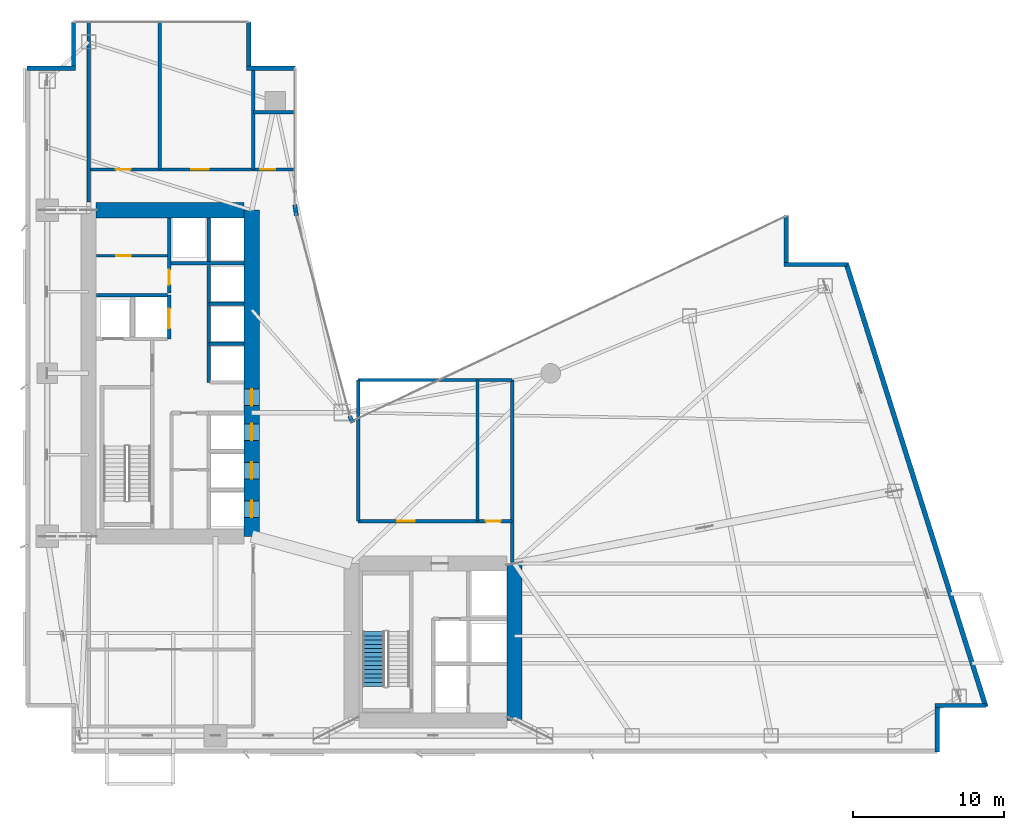
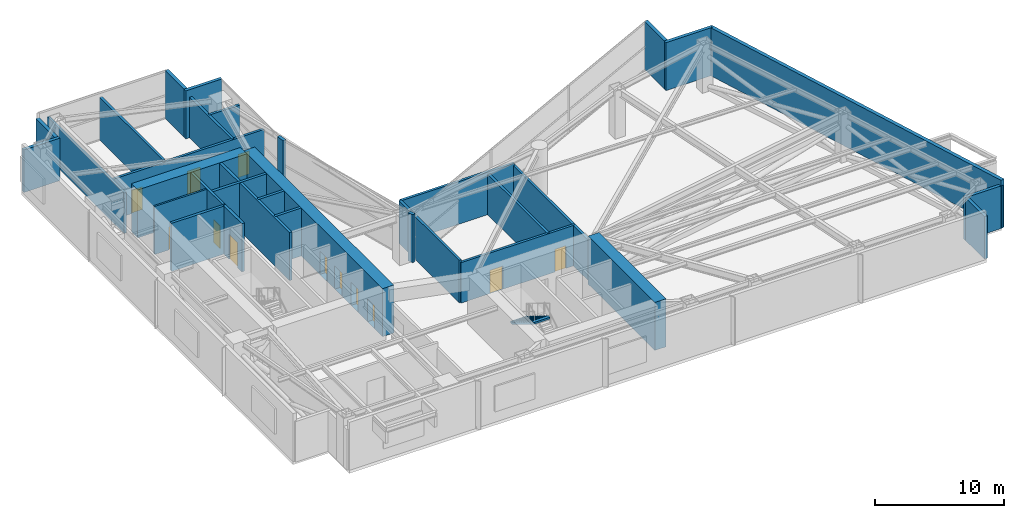
# One storey, part 14 of 18: 33 walls, 12 doors, 1 stair flight, 12 openings, 1 element without a shape of its own.
"""IFC4 building model written with IfcOpenShell, lengths in metres."""

from ifc_helpers import new_model, si_unit, direction, frame, frame_2d, origin, place, context, subcontext, project, spatial, polyline, rectangle, outline, extrude, material, layer, layer_set, type_object, element, fill, aggregate, save


model = new_model("IFC4")

# Units and contexts
model_context = context("Model", 3, precision=1e-05, world=origin(), true_north=direction((0.0, 1.0)))
body_context = subcontext(model_context, "Body", "Model", "MODEL_VIEW")
ifc_project = project(units=[si_unit("LENGTHUNIT", "METRE"), si_unit("AREAUNIT", "SQUARE_METRE"), si_unit("VOLUMEUNIT", "CUBIC_METRE"), si_unit("PLANEANGLEUNIT", "RADIAN"), si_unit("MASSUNIT", "GRAM", prefix="KILO")], contexts=[model_context])

# Site, building, storey
site_placement = place(None, origin())
site = spatial("IfcSite", under=ifc_project, at=site_placement, CompositionType="ELEMENT")
building_placement = place(site_placement, origin())
building = spatial("IfcBuilding", under=site, at=building_placement, Name="Calvorn Quay Hotel", CompositionType="ELEMENT")
storey_placement = place(building_placement, frame((0.0, 0.0, 46.0)))
storey = spatial("IfcBuildingStorey", under=building, at=storey_placement, Name="L10", CompositionType="ELEMENT", Elevation=46.0)

# Wall, openings, doors
ifc_material_1 = material(Name="Concrete C60", Category="concrete")
ifc_layer_1 = layer(ifc_material_1, 1.0)
ifc_layer_set_1 = layer_set([ifc_layer_1], Name="WL-CORE-1000")
wall_type_1 = type_object("IfcWallType", Name="WL-CORE-1000", PredefinedType="SHEAR", material=ifc_layer_set_1)
wall_1_placement = place(storey_placement, frame((15.0, 16.800048828125, 0.0), z_axis=(0.0, 0.0, 1.0), x_axis=(0.0, 1.0, 0.0)))
wall_1 = element("IfcWall", 1, at=wall_1_placement, inside=storey, type_object=wall_type_1, Name="West Core Shear Wall E (L10)", PredefinedType="SHEAR", context=body_context, shape_type="SweptSolid", body=[
    extrude(rectangle(XDim=21.599853515625, YDim=1.0, at=frame_2d((10.7998046875, 0.0))), origin(), (0.0, 0.0, 1.0), 4.56005859375),
])
opening_1_placement = place(wall_1_placement, frame((8.64990234375, 0.0, 0.0)))
opening_1 = element("IfcOpeningElement", 2, at=opening_1_placement, cuts=wall_1, Name="Opening D-L10-CW1", PredefinedType="OPENING", context=body_context, shape_type="SweptSolid", body=[
    extrude(rectangle(XDim=1.10009765625, YDim=2.199951171875, at=frame_2d((0.550048828125, 1.10009765625))), frame((0.0, 0.510009765625, 0.0), z_axis=(0.0, -1.0, 0.0), x_axis=(1.0, 0.0, 0.0)), (0.0, 0.0, 1.0), 1.02001953125),
])
opening_2_placement = place(wall_1_placement, frame((1.25, 0.0, 0.0)))
opening_2 = element("IfcOpeningElement", 3, at=opening_2_placement, cuts=wall_1, Name="Opening LD-L10-L1", PredefinedType="OPENING", context=body_context, shape_type="SweptSolid", body=[
    extrude(rectangle(XDim=1.10009765625, YDim=2.199951171875, at=frame_2d((0.550048828125, 1.10009765625))), frame((0.0, 0.510009765625, 0.0), z_axis=(0.0, -1.0, 0.0), x_axis=(1.0, 0.0, 0.0)), (0.0, 0.0, 1.0), 1.02001953125),
])
opening_3_placement = place(wall_1_placement, frame((3.800048828125, 0.0, 0.0)))
opening_3 = element("IfcOpeningElement", 4, at=opening_3_placement, cuts=wall_1, Name="Opening LD-L10-L2", PredefinedType="OPENING", context=body_context, shape_type="SweptSolid", body=[
    extrude(rectangle(XDim=1.10009765625, YDim=2.199951171875, at=frame_2d((0.550048828125, 1.10009765625))), frame((0.0, 0.510009765625, 0.0), z_axis=(0.0, -1.0, 0.0), x_axis=(1.0, 0.0, 0.0)), (0.0, 0.0, 1.0), 1.02001953125),
])
opening_4_placement = place(wall_1_placement, frame((6.35009765625, 0.0, 0.0)))
opening_4 = element("IfcOpeningElement", 5, at=opening_4_placement, cuts=wall_1, Name="Opening LD-L10-L3", PredefinedType="OPENING", context=body_context, shape_type="SweptSolid", body=[
    extrude(rectangle(XDim=1.10009765625, YDim=2.199951171875, at=frame_2d((0.550048828125, 1.10009765625))), frame((0.0, 0.510009765625, 0.0), z_axis=(0.0, -1.0, 0.0), x_axis=(1.0, 0.0, 0.0)), (0.0, 0.0, 1.0), 1.02001953125),
])
ifc_material_2 = material(Name="Smoke-Sealed Steel Class A Fire Door", Category="steel")
door_type_1 = type_object("IfcDoorType", Name="DR-FFLOBBY-1100", OperationType="NOTDEFINED", PredefinedType="DOOR", material=ifc_material_2)
door_1_placement = place(opening_1_placement, origin())
door_1 = element("IfcDoor", 6, at=door_1_placement, inside=storey, type_object=door_type_1, Name="West Core Vestibule Fire Door (L10)", OperationType="SINGLE_SWING_LEFT", OverallHeight=2.199951171875, OverallWidth=1.10009765625, PredefinedType="DOOR", context=body_context, shape_type="SweptSolid", body=[
    extrude(rectangle(XDim=1.10009765625, YDim=2.199951171875, at=frame_2d((0.550048828125, 1.10009765625))), frame((0.0, 0.02490234375, 0.0), z_axis=(0.0, -1.0, 0.0), x_axis=(1.0, 0.0, 0.0)), (0.0, 0.0, 1.0), 0.050048828125),
])
fill(opening_1, door_1)
ifc_material_3 = material(Name="Brushed Stainless Steel Sliding Lift Landing Door", Category="steel")
door_type_2 = type_object("IfcDoorType", Name="DR-LIFT-PASS-1100", OperationType="NOTDEFINED", PredefinedType="DOOR", material=ifc_material_3)
door_2_placement = place(opening_2_placement, origin())
door_2 = element("IfcDoor", 7, at=door_2_placement, inside=storey, type_object=door_type_2, Name="Low-Rise Lift PL-L1 Landing Door (L10)", OperationType="DOUBLE_DOOR_SLIDING", OverallHeight=2.199951171875, OverallWidth=1.10009765625, PredefinedType="DOOR", context=body_context, shape_type="SweptSolid", body=[
    extrude(rectangle(XDim=1.10009765625, YDim=2.199951171875, at=frame_2d((0.550048828125, 1.10009765625))), frame((0.0, 0.02490234375, 0.0), z_axis=(0.0, -1.0, 0.0), x_axis=(1.0, 0.0, 0.0)), (0.0, 0.0, 1.0), 0.050048828125),
])
fill(opening_2, door_2)
door_3_placement = place(opening_3_placement, origin())
door_3 = element("IfcDoor", 8, at=door_3_placement, inside=storey, type_object=door_type_2, Name="Low-Rise Lift PL-L2 Landing Door (L10)", OperationType="DOUBLE_DOOR_SLIDING", OverallHeight=2.199951171875, OverallWidth=1.10009765625, PredefinedType="DOOR", context=body_context, shape_type="SweptSolid", body=[
    extrude(rectangle(XDim=1.10009765625, YDim=2.199951171875, at=frame_2d((0.550048828125, 1.10009765625))), frame((0.0, 0.02490234375, 0.0), z_axis=(0.0, -1.0, 0.0), x_axis=(1.0, 0.0, 0.0)), (0.0, 0.0, 1.0), 0.050048828125),
])
fill(opening_3, door_3)
door_4_placement = place(opening_4_placement, origin())
door_4 = element("IfcDoor", 9, at=door_4_placement, inside=storey, type_object=door_type_2, Name="Low-Rise Lift PL-L3 Landing Door (L10)", OperationType="DOUBLE_DOOR_SLIDING", OverallHeight=2.199951171875, OverallWidth=1.10009765625, PredefinedType="DOOR", context=body_context, shape_type="SweptSolid", body=[
    extrude(rectangle(XDim=1.10009765625, YDim=2.199951171875, at=frame_2d((0.550048828125, 1.10009765625))), frame((0.0, 0.02490234375, 0.0), z_axis=(0.0, -1.0, 0.0), x_axis=(1.0, 0.0, 0.0)), (0.0, 0.0, 1.0), 0.050048828125),
])
fill(opening_4, door_4)

# Walls
wall_2_placement = place(storey_placement, frame((4.699951171875, 38.39990234375, 0.0), z_axis=(0.0, 0.0, 1.0), x_axis=(1.0, 0.0, 0.0)))
element("IfcWall", 10, at=wall_2_placement, inside=storey, type_object=wall_type_1, Name="West Core Shear Wall N (L10)", PredefinedType="SHEAR", context=body_context, shape_type="SweptSolid", body=[
    extrude(rectangle(XDim=9.800048828125, YDim=1.0, at=frame_2d((4.89990234375, 0.0))), origin(), (0.0, 0.0, 1.0), 4.56005859375),
])
wall_3_placement = place(storey_placement, frame((32.39990234375, 4.60009765625, 0.0), z_axis=(0.0, 0.0, 1.0), x_axis=(0.0, 1.0, 0.0)))
element("IfcWall", 11, at=wall_3_placement, inside=storey, type_object=wall_type_1, Name="East Core Shear Wall E (L10)", PredefinedType="SHEAR", context=body_context, shape_type="SweptSolid", body=[
    extrude(rectangle(XDim=10.39990234375, YDim=1.0, at=frame_2d((5.199951171875, 0.0))), origin(), (0.0, 0.0, 1.0), 4.56005859375),
])
ifc_material_4 = material(Name="Concrete C40", Category="concrete")
ifc_layer_2 = layer(ifc_material_4, 0.320068359375)
ifc_layer_set_2 = layer_set([ifc_layer_2], Name="WL-EXT-SPANDREL-320")
wall_type_2 = type_object("IfcWallType", Name="WL-EXT-SPANDREL-320", PredefinedType="SOLIDWALL", material=ifc_layer_set_2)
wall_4_placement = place(storey_placement, frame((21.679931640625, 24.340087890625, 0.0), z_axis=(0.0, 0.0, 1.0), x_axis=(-0.40758134973, 0.913168901875, 0.0)))
element("IfcWall", 12, at=wall_4_placement, inside=storey, type_object=wall_type_2, Name="Inner Court Corner Pier L10-ICJ1", PredefinedType="SOLIDWALL", context=body_context, shape_type="SweptSolid", body=[
    extrude(rectangle(XDim=0.470703125, YDim=0.280029296875, at=frame_2d((0.2353515625, 0.0))), origin(), (0.0, 0.0, 1.0), 4.56005859375),
])
wall_5_placement = place(storey_placement, frame((17.9619140625, 38.030029296875, 0.0), z_axis=(0.0, 0.0, 1.0), x_axis=(-0.15141125477, 0.988470855377, 0.0)))
element("IfcWall", 13, at=wall_5_placement, inside=storey, type_object=wall_type_2, Name="Inner Court Corner Pier L10-ICJ2", PredefinedType="SOLIDWALL", context=body_context, shape_type="SweptSolid", body=[
    extrude(rectangle(XDim=0.738525390625, YDim=0.280029296875, at=frame_2d((0.369140625, 0.0))), origin(), (0.0, 0.0, 1.0), 4.56005859375),
])
wall_6_placement = place(storey_placement, frame((60.39990234375, 2.52001953125, 0.0), z_axis=(0.0, 0.0, 1.0), x_axis=(0.0, 1.0, 0.0)))
element("IfcWall", 14, at=wall_6_placement, inside=storey, type_object=wall_type_2, Name="Notched Corner Spandrel L10-SE1", PredefinedType="SOLIDWALL", context=body_context, shape_type="SweptSolid", body=[
    extrude(rectangle(XDim=2.93994140625, YDim=0.280029296875, at=frame_2d((1.469970703125, 0.0))), origin(), (0.0, 0.0, 1.0), 4.0400390625),
])
wall_7_placement = place(storey_placement, frame((60.260009765625, 5.60009765625, 0.0), z_axis=(0.0, 0.0, 1.0), x_axis=(1.0, 0.0, 0.0)))
element("IfcWall", 15, at=wall_7_placement, inside=storey, type_object=wall_type_2, Name="Notched Corner Spandrel L10-SE2", PredefinedType="SOLIDWALL", context=body_context, shape_type="SweptSolid", body=[
    extrude(rectangle(XDim=3.3798828125, YDim=0.280029296875, at=frame_2d((1.68994140625, 0.0))), origin(), (0.0, 0.0, 1.0), 4.0400390625),
])
wall_8_placement = place(storey_placement, frame((54.43994140625, 34.800048828125, 0.0), z_axis=(0.0, 0.0, 1.0), x_axis=(-1.0, 0.0, 0.0)))
element("IfcWall", 16, at=wall_8_placement, inside=storey, type_object=wall_type_2, Name="Notched Corner Spandrel L10-NE1", PredefinedType="SOLIDWALL", context=body_context, shape_type="SweptSolid", body=[
    extrude(rectangle(XDim=4.179931640625, YDim=0.280029296875, at=frame_2d((2.08984375, 0.0))), origin(), (0.0, 0.0, 1.0), 4.56005859375),
])
wall_9_placement = place(storey_placement, frame((50.39990234375, 34.93994140625, 0.0), z_axis=(0.0, 0.0, 1.0), x_axis=(0.0, 1.0, 0.0)))
element("IfcWall", 17, at=wall_9_placement, inside=storey, type_object=wall_type_2, Name="Notched Corner Spandrel L10-NE2", PredefinedType="SOLIDWALL", context=body_context, shape_type="SweptSolid", body=[
    extrude(rectangle(XDim=3.10009765625, YDim=0.280029296875, at=frame_2d((1.550048828125, 0.0))), origin(), (0.0, 0.0, 1.0), 4.56005859375),
])
wall_10_placement = place(storey_placement, frame((17.89990234375, 47.800048828125, 0.0), z_axis=(0.0, 0.0, 1.0), x_axis=(-1.0, 0.0, 0.0)))
element("IfcWall", 18, at=wall_10_placement, inside=storey, type_object=wall_type_2, Name="Notched Corner Spandrel L10-NWE1", PredefinedType="SOLIDWALL", context=body_context, shape_type="SweptSolid", body=[
    extrude(rectangle(XDim=3.239990234375, YDim=0.280029296875, at=frame_2d((1.6201171875, 0.0))), origin(), (0.0, 0.0, 1.0), 4.56005859375),
])
wall_11_placement = place(storey_placement, frame((14.800048828125, 47.93994140625, 0.0), z_axis=(0.0, 0.0, 1.0), x_axis=(0.0, 1.0, 0.0)))
element("IfcWall", 19, at=wall_11_placement, inside=storey, type_object=wall_type_2, Name="Notched Corner Spandrel L10-NWE2", PredefinedType="SOLIDWALL", context=body_context, shape_type="SweptSolid", body=[
    extrude(rectangle(XDim=2.93994140625, YDim=0.280029296875, at=frame_2d((1.469970703125, 0.0))), origin(), (0.0, 0.0, 1.0), 4.56005859375),
])
wall_12_placement = place(storey_placement, frame((3.199951171875, 50.8798828125, 0.0), z_axis=(0.0, 0.0, 1.0), x_axis=(0.0, -1.0, 0.0)))
element("IfcWall", 20, at=wall_12_placement, inside=storey, type_object=wall_type_2, Name="Notched Corner Spandrel L10-NW1", PredefinedType="SOLIDWALL", context=body_context, shape_type="SweptSolid", body=[
    extrude(rectangle(XDim=2.93994140625, YDim=0.280029296875, at=frame_2d((1.469970703125, 0.0))), origin(), (0.0, 0.0, 1.0), 4.0400390625),
])
wall_13_placement = place(storey_placement, frame((3.340087890625, 47.800048828125, 0.0), z_axis=(0.0, 0.0, 1.0), x_axis=(-1.0, 0.0, 0.0)))
element("IfcWall", 21, at=wall_13_placement, inside=storey, type_object=wall_type_2, Name="Notched Corner Spandrel L10-NW2", PredefinedType="SOLIDWALL", context=body_context, shape_type="SweptSolid", body=[
    extrude(rectangle(XDim=3.219970703125, YDim=0.280029296875, at=frame_2d((1.60986328125, 0.0))), origin(), (0.0, 0.0, 1.0), 4.0400390625),
])
wall_14_placement = place(storey_placement, frame((63.6298828125, 5.5048828125, 0.0), z_axis=(0.0, 0.0, 1.0), x_axis=(-0.300501856448, 0.953781229775, 0.0)))
element("IfcWall", 22, at=wall_14_placement, inside=storey, type_object=wall_type_2, Name="East Stepped Waterfront Exterior Wall (L10)", PredefinedType="SOLIDWALL", context=body_context, shape_type="SweptSolid", body=[
    extrude(rectangle(XDim=30.814453125, YDim=0.320068359375, at=frame_2d((15.4072265625, 0.0))), origin(), (0.0, 0.0, 1.0), 4.56005859375),
])

# Wall, opening, door
ifc_material_5 = material(Name="Double-Stud Acoustic Gypsum Partition")
ifc_layer_3 = layer(ifc_material_5, 0.159912109375)
ifc_layer_set_3 = layer_set([ifc_layer_3], Name="WL-INTERSUITE-160")
wall_type_3 = type_object("IfcWallType", Name="WL-INTERSUITE-160", PredefinedType="PARTITIONING", material=ifc_layer_set_3)
wall_15_placement = place(storey_placement, frame((4.719970703125, 35.3798828125, 0.0), z_axis=(0.0, 0.0, 1.0), x_axis=(1.0, 0.0, 0.0)))
wall_15 = element("IfcWall", 23, at=wall_15_placement, inside=storey, type_object=wall_type_3, Name="Partition Wall L10-WL-CWW-K-MID", PredefinedType="PARTITIONING", context=body_context, shape_type="SweptSolid", body=[
    extrude(rectangle(XDim=4.699951171875, YDim=0.159912109375, at=frame_2d((2.35009765625, 0.0))), origin(), (0.0, 0.0, 1.0), 4.56005859375),
])
opening_5_placement = place(wall_15_placement, frame((1.300048828125, 0.0, 0.0)))
opening_5 = element("IfcOpeningElement", 24, at=opening_5_placement, cuts=wall_15, Name="Opening D-L10-CK2", PredefinedType="OPENING", context=body_context, shape_type="SweptSolid", body=[
    extrude(rectangle(XDim=0.97998046875, YDim=2.14990234375, at=frame_2d((0.489990234375, 1.074951171875))), frame((0.0, 0.08984375, 0.0), z_axis=(0.0, -1.0, 0.0), x_axis=(1.0, 0.0, 0.0)), (0.0, 0.0, 1.0), 0.179931640625),
])
ifc_material_6 = material(Name="Painted Steel Housekeeping/Riser Fire Door", Category="steel")
door_type_3 = type_object("IfcDoorType", Name="DR-SERVICE-980", OperationType="NOTDEFINED", PredefinedType="DOOR", material=ifc_material_6)
door_5_placement = place(opening_5_placement, origin())
door_5 = element("IfcDoor", 25, at=door_5_placement, inside=storey, type_object=door_type_3, Name="Electrical Riser Door (L10)", OperationType="SINGLE_SWING_RIGHT", OverallHeight=2.14990234375, OverallWidth=0.97998046875, PredefinedType="DOOR", context=body_context, shape_type="SweptSolid", body=[
    extrude(rectangle(XDim=0.97998046875, YDim=2.14990234375, at=frame_2d((0.489990234375, 1.074951171875))), frame((0.0, 0.02490234375, 0.0), z_axis=(0.0, -1.0, 0.0), x_axis=(1.0, 0.0, 0.0)), (0.0, 0.0, 1.0), 0.050048828125),
])
fill(opening_5, door_5)

ifc_material_7 = material(Name="Autoclaved Aerated Masonry Block", Category="masonry")
ifc_layer_4 = layer(ifc_material_7, 0.219970703125)
ifc_layer_set_4 = layer_set([ifc_layer_4], Name="WL-LOBBY-FIRE-220")
wall_type_4 = type_object("IfcWallType", Name="WL-LOBBY-FIRE-220", PredefinedType="SOLIDWALL", material=ifc_layer_set_4)
wall_16_placement = place(storey_placement, frame((9.5400390625, 32.919921875, 0.0), z_axis=(0.0, 0.0, 1.0), x_axis=(0.0, 1.0, 0.0)))
wall_16 = element("IfcWall", 26, at=wall_16_placement, inside=storey, type_object=wall_type_4, Name="Partition Wall L10-WL-CWW-K-E", PredefinedType="SOLIDWALL", context=body_context, shape_type="SweptSolid", body=[
    extrude(rectangle(XDim=4.9599609375, YDim=0.219970703125, at=frame_2d((2.47998046875, 0.0))), origin(), (0.0, 0.0, 1.0), 4.56005859375),
])
opening_6_placement = place(wall_16_placement, frame((0.550048828125, 0.0, 0.0)))
opening_6 = element("IfcOpeningElement", 27, at=opening_6_placement, cuts=wall_16, Name="Opening D-L10-CK1", PredefinedType="OPENING", context=body_context, shape_type="SweptSolid", body=[
    extrude(rectangle(XDim=0.97998046875, YDim=2.14990234375, at=frame_2d((0.489990234375, 1.074951171875))), frame((0.0, 0.119873046875, 0.0), z_axis=(0.0, -1.0, 0.0), x_axis=(1.0, 0.0, 0.0)), (0.0, 0.0, 1.0), 0.239990234375),
])
door_6_placement = place(opening_6_placement, origin())
door_6 = element("IfcDoor", 28, at=door_6_placement, inside=storey, type_object=door_type_3, Name="Core Housekeeping Door (L10)", OperationType="SINGLE_SWING_LEFT", OverallHeight=2.14990234375, OverallWidth=0.97998046875, PredefinedType="DOOR", context=body_context, shape_type="SweptSolid", body=[
    extrude(rectangle(XDim=0.97998046875, YDim=2.14990234375, at=frame_2d((0.489990234375, 1.074951171875))), frame((0.0, 0.02490234375, 0.0), z_axis=(0.0, -1.0, 0.0), x_axis=(1.0, 0.0, 0.0)), (0.0, 0.0, 1.0), 0.050048828125),
])
fill(opening_6, door_6)

# Walls
wall_17_placement = place(storey_placement, frame((4.199951171875, 38.949951171875, 0.0), z_axis=(0.0, 0.0, 1.0), x_axis=(0.0, 1.0, 0.0)))
element("IfcWall", 29, at=wall_17_placement, inside=storey, type_object=wall_type_4, Name="Partition Wall L10-WL-RF-BELT-NW", PredefinedType="SOLIDWALL", context=body_context, shape_type="SweptSolid", body=[
    extrude(rectangle(XDim=11.989990234375, YDim=0.219970703125, at=frame_2d((5.9951171875, 0.0))), origin(), (0.0, 0.0, 1.0), 3.840087890625),
])
wall_18_placement = place(storey_placement, frame((8.89990234375, 41.10009765625, 0.0), z_axis=(0.0, 0.0, 1.0), x_axis=(0.0, 1.0, 0.0)))
element("IfcWall", 30, at=wall_18_placement, inside=storey, type_object=wall_type_4, Name="Partition Wall L10-WL-RF-EL-E", PredefinedType="SOLIDWALL", context=body_context, shape_type="SweptSolid", body=[
    extrude(rectangle(XDim=9.83984375, YDim=0.219970703125, at=frame_2d((4.919921875, 0.0))), origin(), (0.0, 0.0, 1.0), 4.0400390625),
])

# Wall, openings, doors
wall_19_placement = place(storey_placement, frame((4.199951171875, 41.10009765625, 0.0), z_axis=(0.0, 0.0, 1.0), x_axis=(1.0, 0.0, 0.0)))
wall_19 = element("IfcWall", 31, at=wall_19_placement, inside=storey, type_object=wall_type_4, Name="Partition Wall L10-WL-RF-N-S", PredefinedType="SOLIDWALL", context=body_context, shape_type="SweptSolid", body=[
    extrude(rectangle(XDim=13.650146484375, YDim=0.219970703125, at=frame_2d((6.8251953125, 0.0))), origin(), (0.0, 0.0, 1.0), 3.840087890625),
])
opening_7_placement = place(wall_19_placement, frame((1.800048828125, 0.0, 0.0)))
opening_7 = element("IfcOpeningElement", 32, at=opening_7_placement, cuts=wall_19, Name="Opening D-L10-P3", PredefinedType="OPENING", context=body_context, shape_type="SweptSolid", body=[
    extrude(rectangle(XDim=0.97998046875, YDim=2.14990234375, at=frame_2d((0.489990234375, 1.074951171875))), frame((0.0, 0.119873046875, 0.0), z_axis=(0.0, -1.0, 0.0), x_axis=(1.0, 0.0, 0.0)), (0.0, 0.0, 1.0), 0.239990234375),
])
opening_8_placement = place(wall_19_placement, frame((6.800048828125, 0.0, 0.0)))
opening_8 = element("IfcOpeningElement", 33, at=opening_8_placement, cuts=wall_19, Name="Opening D-L10-RF1", PredefinedType="OPENING", context=body_context, shape_type="SweptSolid", body=[
    extrude(rectangle(XDim=1.14990234375, YDim=2.199951171875, at=frame_2d((0.574951171875, 1.10009765625))), frame((0.0, 0.119873046875, 0.0), z_axis=(0.0, -1.0, 0.0), x_axis=(1.0, 0.0, 0.0)), (0.0, 0.0, 1.0), 0.239990234375),
])
opening_9_placement = place(wall_19_placement, frame((11.35009765625, 0.0, 0.0)))
opening_9 = element("IfcOpeningElement", 34, at=opening_9_placement, cuts=wall_19, Name="Opening D-L10-RFW", PredefinedType="OPENING", context=body_context, shape_type="SweptSolid", body=[
    extrude(rectangle(XDim=1.02001953125, YDim=2.199951171875, at=frame_2d((0.510009765625, 1.10009765625))), frame((0.0, 0.119873046875, 0.0), z_axis=(0.0, -1.0, 0.0), x_axis=(1.0, 0.0, 0.0)), (0.0, 0.0, 1.0), 0.239990234375),
])
ifc_material_8 = material(Name="Solid-Core Walnut Veneer Hotel Fire Door")
door_type_4 = type_object("IfcDoorType", Name="DR-GUEST-ENTRY-1020", OperationType="NOTDEFINED", PredefinedType="DOOR", material=ifc_material_8)
door_7_placement = place(opening_9_placement, origin())
door_7 = element("IfcDoor", 35, at=door_7_placement, inside=storey, type_object=door_type_4, Name="Refuge Accessible WC Door", OperationType="SINGLE_SWING_RIGHT", OverallHeight=2.199951171875, OverallWidth=1.02001953125, PredefinedType="DOOR", context=body_context, shape_type="SweptSolid", body=[
    extrude(rectangle(XDim=1.02001953125, YDim=2.199951171875, at=frame_2d((0.510009765625, 1.10009765625))), frame((0.0, 0.02490234375, 0.0), z_axis=(0.0, -1.0, 0.0), x_axis=(1.0, 0.0, 0.0)), (0.0, 0.0, 1.0), 0.050048828125),
])
fill(opening_9, door_7)
door_8_placement = place(opening_7_placement, origin())
door_8 = element("IfcDoor", 36, at=door_8_placement, inside=storey, type_object=door_type_3, Name="Electrical Substation Door", OperationType="SINGLE_SWING_LEFT", OverallHeight=2.14990234375, OverallWidth=0.97998046875, PredefinedType="DOOR", context=body_context, shape_type="SweptSolid", body=[
    extrude(rectangle(XDim=0.97998046875, YDim=2.14990234375, at=frame_2d((0.489990234375, 1.074951171875))), frame((0.0, 0.02490234375, 0.0), z_axis=(0.0, -1.0, 0.0), x_axis=(1.0, 0.0, 0.0)), (0.0, 0.0, 1.0), 0.050048828125),
])
fill(opening_7, door_8)
ifc_material_9 = material(Name="Galvanised Steel Class A Fire Door", Category="steel")
door_type_5 = type_object("IfcDoorType", Name="DR-STAIR-SMOKE-1150", OperationType="NOTDEFINED", PredefinedType="DOOR", material=ifc_material_9)
door_9_placement = place(opening_8_placement, origin())
door_9 = element("IfcDoor", 37, at=door_9_placement, inside=storey, type_object=door_type_5, Name="North Refuge Area Fire Door", OperationType="SINGLE_SWING_LEFT", OverallHeight=2.199951171875, OverallWidth=1.14990234375, PredefinedType="DOOR", context=body_context, shape_type="SweptSolid", body=[
    extrude(rectangle(XDim=1.14990234375, YDim=2.199951171875, at=frame_2d((0.574951171875, 1.10009765625))), frame((0.0, 0.02490234375, 0.0), z_axis=(0.0, -1.0, 0.0), x_axis=(1.0, 0.0, 0.0)), (0.0, 0.0, 1.0), 0.050048828125),
])
fill(opening_8, door_9)

# Walls
wall_20_placement = place(storey_placement, frame((15.10009765625, 41.10009765625, 0.0), z_axis=(0.0, 0.0, 1.0), x_axis=(0.0, 1.0, 0.0)))
element("IfcWall", 38, at=wall_20_placement, inside=storey, type_object=wall_type_4, Name="Partition Wall L10-WL-RF-WC-W", PredefinedType="SOLIDWALL", context=body_context, shape_type="SweptSolid", body=[
    extrude(rectangle(XDim=6.699951171875, YDim=0.219970703125, at=frame_2d((3.35009765625, 0.0))), origin(), (0.0, 0.0, 1.0), 3.840087890625),
])
wall_21_placement = place(storey_placement, frame((15.10009765625, 44.89990234375, 0.0), z_axis=(0.0, 0.0, 1.0), x_axis=(1.0, 0.0, 0.0)))
element("IfcWall", 39, at=wall_21_placement, inside=storey, type_object=wall_type_4, Name="Partition Wall L10-WL-RF-WC-N", PredefinedType="SOLIDWALL", context=body_context, shape_type="SweptSolid", body=[
    extrude(rectangle(XDim=2.75, YDim=0.219970703125, at=frame_2d((1.375, 0.0))), origin(), (0.0, 0.0, 1.0), 3.840087890625),
])

# Wall, openings, doors
wall_22_placement = place(storey_placement, frame((22.050048828125, 17.800048828125, 0.0), z_axis=(0.0, 0.0, 1.0), x_axis=(1.0, 0.0, 0.0)))
wall_22 = element("IfcWall", 40, at=wall_22_placement, inside=storey, type_object=wall_type_4, Name="Partition Wall L10-WL-RF-C-S", PredefinedType="SOLIDWALL", context=body_context, shape_type="SweptSolid", body=[
    extrude(rectangle(XDim=10.199951171875, YDim=0.219970703125, at=frame_2d((5.10009765625, 0.0))), origin(), (0.0, 0.0, 1.0), 3.840087890625),
])
opening_10_placement = place(wall_22_placement, frame((2.60009765625, 0.0, 0.0)))
opening_10 = element("IfcOpeningElement", 41, at=opening_10_placement, cuts=wall_22, Name="Opening D-L10-RF2", PredefinedType="OPENING", context=body_context, shape_type="SweptSolid", body=[
    extrude(rectangle(XDim=1.14990234375, YDim=2.199951171875, at=frame_2d((0.574951171875, 1.10009765625))), frame((0.0, 0.119873046875, 0.0), z_axis=(0.0, -1.0, 0.0), x_axis=(1.0, 0.0, 0.0)), (0.0, 0.0, 1.0), 0.239990234375),
])
opening_11_placement = place(wall_22_placement, frame((8.449951171875, 0.0, 0.0)))
opening_11 = element("IfcOpeningElement", 42, at=opening_11_placement, cuts=wall_22, Name="Opening D-L10-P4", PredefinedType="OPENING", context=body_context, shape_type="SweptSolid", body=[
    extrude(rectangle(XDim=0.97998046875, YDim=2.14990234375, at=frame_2d((0.489990234375, 1.074951171875))), frame((0.0, 0.119873046875, 0.0), z_axis=(0.0, -1.0, 0.0), x_axis=(1.0, 0.0, 0.0)), (0.0, 0.0, 1.0), 0.239990234375),
])
door_10_placement = place(opening_11_placement, origin())
door_10 = element("IfcDoor", 43, at=door_10_placement, inside=storey, type_object=door_type_3, Name="Pressurization Fan Plant Door", OperationType="SINGLE_SWING_RIGHT", OverallHeight=2.14990234375, OverallWidth=0.97998046875, PredefinedType="DOOR", context=body_context, shape_type="SweptSolid", body=[
    extrude(rectangle(XDim=0.97998046875, YDim=2.14990234375, at=frame_2d((0.489990234375, 1.074951171875))), frame((0.0, 0.02490234375, 0.0), z_axis=(0.0, -1.0, 0.0), x_axis=(1.0, 0.0, 0.0)), (0.0, 0.0, 1.0), 0.050048828125),
])
fill(opening_11, door_10)
door_11_placement = place(opening_10_placement, origin())
door_11 = element("IfcDoor", 44, at=door_11_placement, inside=storey, type_object=door_type_5, Name="Harbour Refuge Area Fire Door", OperationType="SINGLE_SWING_LEFT", OverallHeight=2.199951171875, OverallWidth=1.14990234375, PredefinedType="DOOR", context=body_context, shape_type="SweptSolid", body=[
    extrude(rectangle(XDim=1.14990234375, YDim=2.199951171875, at=frame_2d((0.574951171875, 1.10009765625))), frame((0.0, 0.02490234375, 0.0), z_axis=(0.0, -1.0, 0.0), x_axis=(1.0, 0.0, 0.0)), (0.0, 0.0, 1.0), 0.050048828125),
])
fill(opening_10, door_11)

# Walls
wall_23_placement = place(storey_placement, frame((29.949951171875, 17.800048828125, 0.0), z_axis=(0.0, 0.0, 1.0), x_axis=(0.0, 1.0, 0.0)))
element("IfcWall", 45, at=wall_23_placement, inside=storey, type_object=wall_type_4, Name="Partition Wall L10-WL-RF-C-DIV", PredefinedType="SOLIDWALL", context=body_context, shape_type="SweptSolid", body=[
    extrude(rectangle(XDim=9.349853515625, YDim=0.219970703125, at=frame_2d((4.6748046875, 0.0))), origin(), (0.0, 0.0, 1.0), 3.840087890625),
])
wall_24_placement = place(storey_placement, frame((22.050048828125, 17.800048828125, 0.0), z_axis=(0.0, 0.0, 1.0), x_axis=(0.0, 1.0, 0.0)))
element("IfcWall", 46, at=wall_24_placement, inside=storey, type_object=wall_type_4, Name="Partition Wall L10-WL-RF-C-W", PredefinedType="SOLIDWALL", context=body_context, shape_type="SweptSolid", body=[
    extrude(rectangle(XDim=9.349853515625, YDim=0.219970703125, at=frame_2d((4.6748046875, 0.0))), origin(), (0.0, 0.0, 1.0), 4.0400390625),
])
wall_25_placement = place(storey_placement, frame((32.25, 15.0, 0.0), z_axis=(0.0, 0.0, 1.0), x_axis=(0.0, 1.0, 0.0)))
element("IfcWall", 47, at=wall_25_placement, inside=storey, type_object=wall_type_4, Name="Partition Wall L10-WL-RF-C-E", PredefinedType="SOLIDWALL", context=body_context, shape_type="SweptSolid", body=[
    extrude(rectangle(XDim=12.14990234375, YDim=0.219970703125, at=frame_2d((6.074951171875, 0.0))), origin(), (0.0, 0.0, 1.0), 3.840087890625),
])
wall_26_placement = place(storey_placement, frame((22.050048828125, 27.14990234375, 0.0), z_axis=(0.0, 0.0, 1.0), x_axis=(1.0, 0.0, 0.0)))
element("IfcWall", 48, at=wall_26_placement, inside=storey, type_object=wall_type_4, Name="Partition Wall L10-WL-RF-C-N", PredefinedType="SOLIDWALL", context=body_context, shape_type="SweptSolid", body=[
    extrude(rectangle(XDim=10.199951171875, YDim=0.219970703125, at=frame_2d((5.10009765625, 0.0))), origin(), (0.0, 0.0, 1.0), 4.0400390625),
])
ifc_material_10 = material(Name="Concrete C40", Category="concrete")
ifc_layer_5 = layer(ifc_material_10, 0.239990234375)
ifc_layer_set_5 = layer_set([ifc_layer_5], Name="WL-SHAFT-240")
wall_type_5 = type_object("IfcWallType", Name="WL-SHAFT-240", PredefinedType="SOLIDWALL", material=ifc_layer_set_5)
for number, where, z_axis, x_axis, name in (
    (49, (12.179931640625, 29.550048828125, 0.0), (0.0, 0.0, 1.0), (1.0, 0.0, 0.0), "Lift Hoistway Divider Wall PLM12 (L10)"),
    (50, (12.179931640625, 32.199951171875, 0.0), (0.0, 0.0, 1.0), (1.0, 0.0, 0.0), "Lift Hoistway Divider Wall PLM23 (L10)"),
):
    element("IfcWall", number, at=place(storey_placement, frame(where, z_axis=z_axis, x_axis=x_axis)), inside=storey, type_object=wall_type_5, Name=name, PredefinedType="SOLIDWALL", context=body_context, shape_type="SweptSolid", body=[
        extrude(rectangle(XDim=2.320068359375, YDim=0.239990234375, at=frame_2d((1.16015625, 0.0))), origin(), (0.0, 0.0, 1.0), 4.56005859375),
    ])

# Wall, opening, door
wall_27_placement = place(storey_placement, frame((9.5400390625, 29.8798828125, 0.0), z_axis=(0.0, 0.0, 1.0), x_axis=(0.0, 1.0, 0.0)))
wall_27 = element("IfcWall", 51, at=wall_27_placement, inside=storey, type_object=wall_type_5, Name="Partition Wall L10-WL-CWW-SLW-E", PredefinedType="SOLIDWALL", context=body_context, shape_type="SweptSolid", body=[
    extrude(rectangle(XDim=2.900146484375, YDim=0.239990234375, at=frame_2d((1.4501953125, 0.0))), origin(), (0.0, 0.0, 1.0), 4.56005859375),
])
opening_12_placement = place(wall_27_placement, frame((0.699951171875, 0.0, 0.0)))
opening_12 = element("IfcOpeningElement", 52, at=opening_12_placement, cuts=wall_27, Name="Opening LD-L10-SLW1", PredefinedType="OPENING", context=body_context, shape_type="SweptSolid", body=[
    extrude(rectangle(XDim=1.300048828125, YDim=2.35009765625, at=frame_2d((0.64990234375, 1.175048828125))), frame((0.0, 0.1298828125, 0.0), z_axis=(0.0, -1.0, 0.0), x_axis=(1.0, 0.0, 0.0)), (0.0, 0.0, 1.0), 0.260009765625),
])
ifc_material_11 = material(Name="Champagne-Bronze Sliding Express Lift Landing Door")
door_type_6 = type_object("IfcDoorType", Name="DR-LIFT-SHUTTLE-1300", OperationType="NOTDEFINED", PredefinedType="DOOR", material=ifc_material_11)
door_12_placement = place(opening_12_placement, origin())
door_12 = element("IfcDoor", 53, at=door_12_placement, inside=storey, type_object=door_type_6, Name="Service Lift SL-W1 Landing Door (L10)", OperationType="DOUBLE_DOOR_SLIDING", OverallHeight=2.35009765625, OverallWidth=1.300048828125, PredefinedType="DOOR", context=body_context, shape_type="SweptSolid", body=[
    extrude(rectangle(XDim=1.300048828125, YDim=2.35009765625, at=frame_2d((0.64990234375, 1.175048828125))), frame((0.0, 0.02490234375, 0.0), z_axis=(0.0, -1.0, 0.0), x_axis=(1.0, 0.0, 0.0)), (0.0, 0.0, 1.0), 0.050048828125),
])
fill(opening_12, door_12)

# Walls
wall_28_placement = place(storey_placement, frame((4.719970703125, 32.780029296875, 0.0), z_axis=(0.0, 0.0, 1.0), x_axis=(1.0, 0.0, 0.0)))
element("IfcWall", 54, at=wall_28_placement, inside=storey, type_object=wall_type_5, Name="Partition Wall L10-WL-CWW-SLW-N", PredefinedType="SOLIDWALL", context=body_context, shape_type="SweptSolid", body=[
    extrude(rectangle(XDim=4.699951171875, YDim=0.239990234375, at=frame_2d((2.35009765625, 0.0))), origin(), (0.0, 0.0, 1.0), 4.56005859375),
])
wall_29_placement = place(storey_placement, frame((12.14990234375, 27.0, 0.0), z_axis=(0.0, 0.0, 1.0), x_axis=(0.0, 1.0, 0.0)))
element("IfcWall", 55, at=wall_29_placement, inside=storey, type_object=wall_type_5, Name="Partition Wall L10-WL-CWW-PLM-W", PredefinedType="SOLIDWALL", context=body_context, shape_type="SweptSolid", body=[
    extrude(rectangle(XDim=7.75, YDim=0.239990234375, at=frame_2d((3.875, 0.0))), origin(), (0.0, 0.0, 1.0), 4.56005859375),
])
wall_30_placement = place(storey_placement, frame((9.659912109375, 34.89990234375, 0.0), z_axis=(0.0, 0.0, 1.0), x_axis=(1.0, 0.0, 0.0)))
element("IfcWall", 56, at=wall_30_placement, inside=storey, type_object=wall_type_5, Name="Partition Wall L10-WL-CWW-PLH-S", PredefinedType="SOLIDWALL", context=body_context, shape_type="SweptSolid", body=[
    extrude(rectangle(XDim=4.820068359375, YDim=0.239990234375, at=frame_2d((2.41015625, 0.0))), origin(), (0.0, 0.0, 1.0), 4.56005859375),
])
wall_31_placement = place(storey_placement, frame((12.14990234375, 35.02001953125, 0.0), z_axis=(0.0, 0.0, 1.0), x_axis=(0.0, 1.0, 0.0)))
element("IfcWall", 57, at=wall_31_placement, inside=storey, type_object=wall_type_5, Name="Partition Wall L10-WL-CWW-PLH-DIV", PredefinedType="SOLIDWALL", context=body_context, shape_type="SweptSolid", body=[
    extrude(rectangle(XDim=2.85986328125, YDim=0.239990234375, at=frame_2d((1.429931640625, 0.0))), origin(), (0.0, 0.0, 1.0), 4.56005859375),
])

# Stair, stair flight
ifc_material_12 = material(Name="Concrete C40", Category="concrete")
stair_type = type_object("IfcStairType", Name="STR-CORE-DOGLEG", PredefinedType="HALF_TURN_STAIR", material=ifc_material_12)
stair_placement = place(storey_placement, origin())
stair = element("IfcStair", 58, at=stair_placement, inside=storey, type_object=stair_type, Name="L10 ST-E", PredefinedType="HALF_TURN_STAIR")
ifc_material_13 = material(Name="Concrete C40", Category="concrete")
stair_flight_type = type_object("IfcStairFlightType", Name="FLT-CORE-1550", PredefinedType="STRAIGHT", material=ifc_material_13)
stair_flight_placement = place(storey_placement, frame((23.074951171875, 10.489990234375, 2.39990234375), z_axis=(0.0, 0.0, 1.0), x_axis=(0.0, -1.0, 0.0)))
stair_flight = element("IfcStairFlight", 59, at=stair_flight_placement, type_object=stair_flight_type, Name="ST-E flight 2", NumberOfRisers=14, NumberOfTreads=13, PredefinedType="STRAIGHT", RiserHeight=0.171428571, TreadLength=0.28, context=body_context, shape_type="SweptSolid", body=[
    extrude(outline(polyline([(0.0, 0.0), (0.0, 0.17138671875), (0.280029296875, 0.17138671875), (0.280029296875, 0.3427734375), (0.56005859375, 0.3427734375), (0.56005859375, 0.514404296875), (0.840087890625, 0.514404296875), (0.840087890625, 0.685791015625), (1.1201171875, 0.685791015625), (1.1201171875, 0.857177734375), (1.39990234375, 0.857177734375), (1.39990234375, 1.028564453125), (1.679931640625, 1.028564453125), (1.679931640625, 1.199951171875), (1.9599609375, 1.199951171875), (1.9599609375, 1.371337890625), (2.239990234375, 1.371337890625), (2.239990234375, 1.54296875), (2.52001953125, 1.54296875), (2.52001953125, 1.71435546875), (2.800048828125, 1.71435546875), (2.800048828125, 1.8857421875), (3.080078125, 1.8857421875), (3.080078125, 2.05712890625), (3.360107421875, 2.05712890625), (3.360107421875, 2.228515625), (3.639892578125, 2.228515625), (3.639892578125, 2.39990234375), (3.639892578125, 2.052734375), (0.287109375, 0.0), (0.0, 0.0)])), frame((0.0, 0.72509765625, 0.0), z_axis=(0.0, -1.0, 0.0), x_axis=(1.0, 0.0, 0.0)), (0.0, 0.0, 1.0), 1.449951171875),
])
aggregate(stair, [stair_flight])

save(model, "model.ifc")
